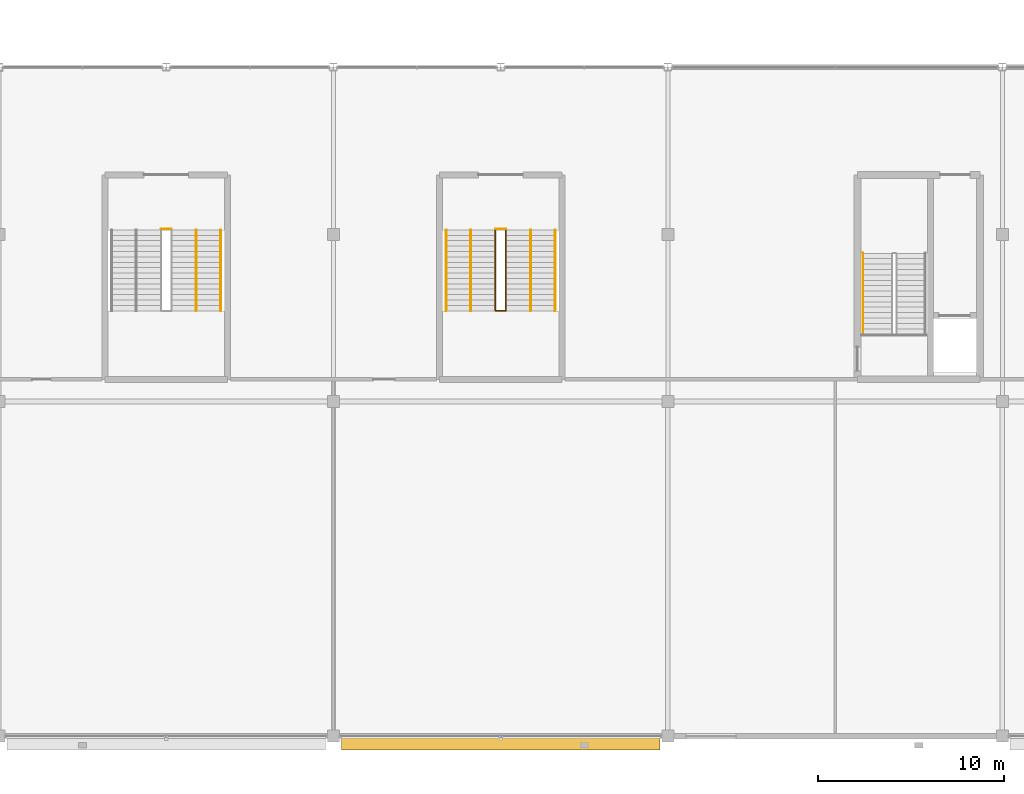
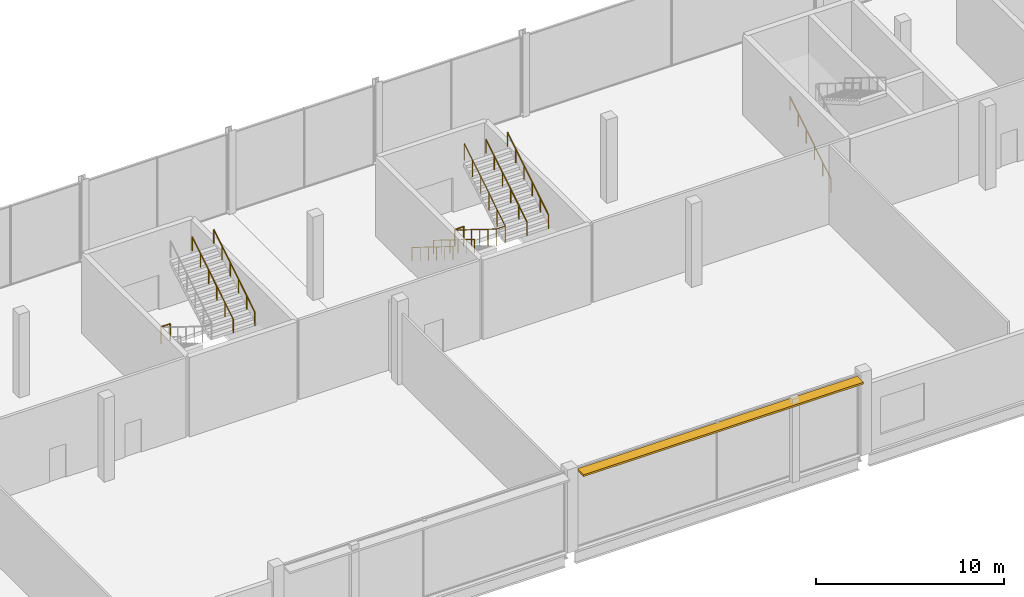
# One storey, part 100 of 111: 10 railings, 1 shading device.
"""IFC4 building model written with IfcOpenShell, lengths in metres."""

from ifc_helpers import new_model, si_unit, direction, frame, origin, origin_2d, place, context, subcontext, project, spatial, rectangle, circle, extrude, material, type_object, element, save


model = new_model("IFC4")

# Units and contexts
model_context = context("Model", 3, precision=1e-05, world=origin(), true_north=direction((0.0, 1.0)))
body_context = subcontext(model_context, "Body", "Model", "MODEL_VIEW")
ifc_project = project(units=[si_unit("LENGTHUNIT", "METRE"), si_unit("AREAUNIT", "SQUARE_METRE"), si_unit("VOLUMEUNIT", "CUBIC_METRE"), si_unit("PLANEANGLEUNIT", "RADIAN"), si_unit("MASSUNIT", "GRAM", prefix="KILO")], contexts=[model_context])

# Site, building, storey
site_placement = place(None, origin())
site = spatial("IfcSite", under=ifc_project, at=site_placement, CompositionType="ELEMENT")
building_placement = place(site_placement, origin())
building = spatial("IfcBuilding", under=site, at=building_placement, Name="Kisiwana Market Hall", CompositionType="ELEMENT")
storey_placement = place(building_placement, frame((0.0, 0.0, 11.39990234375)))
storey = spatial("IfcBuildingStorey", under=building, at=storey_placement, Name="L02", CompositionType="ELEMENT", Elevation=11.39990234375)

# Railings
ifc_material_1 = material(Name="Steel S275", Category="steel")
railing_type_1 = type_object("IfcRailingType", Name="RL-GUARD-1100", PredefinedType="GUARDRAIL", material=ifc_material_1)
railing_1_placement = place(storey_placement, frame((89.719970703125, 27.2900390625, 0.0)))
element("IfcRailing", 1, at=railing_1_placement, inside=storey, type_object=railing_type_1, Name="Stair ST-S4-L02 landing edge guardrail (RL-608)", PredefinedType="GUARDRAIL", context=body_context, shape_type="SweptSolid", body=[
    extrude(circle(Radius=0.02392578125, at=origin_2d()), frame((0.0, 0.0, 1.076171875), z_axis=(1.0, 0.0, 0.0), x_axis=(0.0, 1.0, 0.0)), (0.0, 0.0, 1.0), 0.56005859375),
    extrude(circle(Radius=0.02099609375, at=origin_2d()), origin(), (0.0, 0.0, 1.0), 1.052001953125),
    extrude(circle(Radius=0.02099609375, at=origin_2d()), frame((0.56005859375, 0.0, 0.0)), (0.0, 0.0, 1.0), 1.052001953125),
])
railing_2_placement = place(storey_placement, frame((107.719970703125, 27.239990234375, 0.0)))
element("IfcRailing", 2, at=railing_2_placement, inside=storey, type_object=railing_type_1, Name="Stair ST-S5-L02 inner-well guardrail (RL-615)", PredefinedType="GUARDRAIL", context=body_context, shape_type="SweptSolid", body=[
    extrude(circle(Radius=0.02392578125, at=origin_2d()), frame((0.0, 0.0, 1.076171875), z_axis=(0.0, -0.849628378081, 0.527381853271), x_axis=(1.0, 0.0, 0.0)), (0.0, 0.0, 1.0), 5.1201171875),
    extrude(circle(Radius=0.02392578125, at=origin_2d()), frame((0.0, -4.35009765625, 3.7763671875), z_axis=(1.0, 0.0, 0.0), x_axis=(0.0, 1.0, 0.0)), (0.0, 0.0, 1.0), 0.56005859375),
    extrude(circle(Radius=0.02392578125, at=origin_2d()), frame((0.56005859375, -4.35009765625, 3.7763671875), z_axis=(0.0, 0.849649743971, 0.527347430608), x_axis=(-1.0, 0.0, 0.0)), (0.0, 0.0, 1.0), 5.119873046875),
    extrude(circle(Radius=0.02099609375, at=origin_2d()), origin(), (0.0, 0.0, 1.0), 1.052001953125),
    extrude(circle(Radius=0.02099609375, at=origin_2d()), frame((0.0, -0.8701171875, 0.5400390625)), (0.0, 0.0, 1.0), 1.052001953125),
    extrude(circle(Radius=0.02099609375, at=origin_2d()), frame((0.0, -1.739990234375, 1.080078125)), (0.0, 0.0, 1.0), 1.052001953125),
    extrude(circle(Radius=0.02099609375, at=origin_2d()), frame((0.0, -2.610107421875, 1.6201171875)), (0.0, 0.0, 1.0), 1.052001953125),
    extrude(circle(Radius=0.02099609375, at=origin_2d()), frame((0.0, -3.47998046875, 2.16015625)), (0.0, 0.0, 1.0), 1.052001953125),
    extrude(circle(Radius=0.02099609375, at=origin_2d()), frame((0.0, -4.35009765625, 2.7001953125)), (0.0, 0.0, 1.0), 1.052001953125),
    extrude(circle(Radius=0.02099609375, at=origin_2d()), frame((0.56005859375, -4.35009765625, 2.7001953125)), (0.0, 0.0, 1.0), 1.052001953125),
    extrude(circle(Radius=0.02099609375, at=origin_2d()), frame((0.56005859375, -3.47998046875, 3.240234375)), (0.0, 0.0, 1.0), 1.052001953125),
    extrude(circle(Radius=0.02099609375, at=origin_2d()), frame((0.56005859375, -2.610107421875, 3.7802734375)), (0.0, 0.0, 1.0), 1.052001953125),
    extrude(circle(Radius=0.02099609375, at=origin_2d()), frame((0.56005859375, -1.739990234375, 4.320068359375)), (0.0, 0.0, 1.0), 1.052001953125),
    extrude(circle(Radius=0.02099609375, at=origin_2d()), frame((0.56005859375, -0.8701171875, 4.860107421875)), (0.0, 0.0, 1.0), 1.052001953125),
    extrude(circle(Radius=0.02099609375, at=origin_2d()), frame((0.56005859375, 0.0, 5.400146484375)), (0.0, 0.0, 1.0), 1.052001953125),
])
railing_3_placement = place(storey_placement, frame((107.719970703125, 27.2900390625, 0.0)))
element("IfcRailing", 3, at=railing_3_placement, inside=storey, type_object=railing_type_1, Name="Stair ST-S5-L02 landing edge guardrail (RL-620)", PredefinedType="GUARDRAIL", context=body_context, shape_type="SweptSolid", body=[
    extrude(circle(Radius=0.02392578125, at=origin_2d()), frame((0.0, 0.0, 1.076171875), z_axis=(1.0, 0.0, 0.0), x_axis=(0.0, 1.0, 0.0)), (0.0, 0.0, 1.0), 0.56005859375),
    extrude(circle(Radius=0.02099609375, at=origin_2d()), origin(), (0.0, 0.0, 1.0), 1.052001953125),
    extrude(circle(Radius=0.02099609375, at=origin_2d()), frame((0.56005859375, 0.0, 0.0)), (0.0, 0.0, 1.0), 1.052001953125),
])
ifc_material_2 = material(Name="Steel S275", Category="steel")
railing_type_2 = type_object("IfcRailingType", Name="RL-HAND-900", PredefinedType="HANDRAIL", material=ifc_material_2)
railing_4_placement = place(storey_placement, frame((127.5, 21.62939453125, 0.0)))
element("IfcRailing", 4, at=railing_4_placement, inside=storey, type_object=railing_type_2, Name="Stair ST-S2-L02 flight 1 handrail (RL-496)", PredefinedType="HANDRAIL", context=body_context, shape_type="SweptSolid", body=[
    extrude(circle(Radius=0.02392578125, at=origin_2d()), frame((0.0, 0.0, 0.8759765625), z_axis=(0.0, 0.849628378081, 0.527381853271), x_axis=(-1.0, 0.0, 0.0)), (0.0, 0.0, 1.0), 5.1201171875),
    extrude(circle(Radius=0.02099609375, at=origin_2d()), origin(), (0.0, 0.0, 1.0), 0.851806640625),
    extrude(circle(Radius=0.02099609375, at=origin_2d()), frame((0.0, 0.8701171875, 0.5400390625)), (0.0, 0.0, 1.0), 0.851806640625),
    extrude(circle(Radius=0.02099609375, at=origin_2d()), frame((0.0, 1.739990234375, 1.080078125)), (0.0, 0.0, 1.0), 0.851806640625),
    extrude(circle(Radius=0.02099609375, at=origin_2d()), frame((0.0, 2.610107421875, 1.6201171875)), (0.0, 0.0, 1.0), 0.851806640625),
    extrude(circle(Radius=0.02099609375, at=origin_2d()), frame((0.0, 3.47998046875, 2.16015625)), (0.0, 0.0, 1.0), 0.851806640625),
    extrude(circle(Radius=0.02099609375, at=origin_2d()), frame((0.0, 4.35009765625, 2.7001953125)), (0.0, 0.0, 1.0), 0.851806640625),
])
for number, where, name in (
    (5, (92.929931640625, 22.889892578125, 2.7001953125), "Stair ST-S4-L02 flight 2 handrail (RL-605)"),
    (6, (91.610107421875, 22.889892578125, 2.7001953125), "Stair ST-S4-L02 flight 2 intermediate handrail (RL-607)"),
):
    element("IfcRailing", number, at=place(storey_placement, frame(where)), inside=storey, type_object=railing_type_2, Name=name, PredefinedType="HANDRAIL", context=body_context, shape_type="SweptSolid", body=[
        extrude(circle(Radius=0.02392578125, at=origin_2d()), frame((0.0, 0.0, 0.8759765625), z_axis=(0.0, 0.849649743971, 0.527347430608), x_axis=(-1.0, 0.0, 0.0)), (0.0, 0.0, 1.0), 5.119873046875),
        extrude(circle(Radius=0.02099609375, at=origin_2d()), origin(), (0.0, 0.0, 1.0), 0.851806640625),
        extrude(circle(Radius=0.02099609375, at=origin_2d()), frame((0.0, 0.8701171875, 0.5400390625)), (0.0, 0.0, 1.0), 0.851806640625),
        extrude(circle(Radius=0.02099609375, at=origin_2d()), frame((0.0, 1.739990234375, 1.080078125)), (0.0, 0.0, 1.0), 0.851806640625),
        extrude(circle(Radius=0.02099609375, at=origin_2d()), frame((0.0, 2.610107421875, 1.619873046875)), (0.0, 0.0, 1.0), 0.851806640625),
        extrude(circle(Radius=0.02099609375, at=origin_2d()), frame((0.0, 3.47998046875, 2.159912109375)), (0.0, 0.0, 1.0), 0.851806640625),
        extrude(circle(Radius=0.02099609375, at=origin_2d()), frame((0.0, 4.35009765625, 2.699951171875)), (0.0, 0.0, 1.0), 0.851806640625),
    ])
railing_5_placement = place(storey_placement, frame((105.070068359375, 27.239990234375, 0.0)))
element("IfcRailing", 7, at=railing_5_placement, inside=storey, type_object=railing_type_2, Name="Stair ST-S5-L02 flight 1 handrail (RL-616)", PredefinedType="HANDRAIL", context=body_context, shape_type="SweptSolid", body=[
    extrude(circle(Radius=0.02392578125, at=origin_2d()), frame((0.0, 0.0, 0.8759765625), z_axis=(0.0, -0.849628378081, 0.527381853271), x_axis=(1.0, 0.0, 0.0)), (0.0, 0.0, 1.0), 5.1201171875),
    extrude(circle(Radius=0.02099609375, at=origin_2d()), origin(), (0.0, 0.0, 1.0), 0.851806640625),
    extrude(circle(Radius=0.02099609375, at=origin_2d()), frame((0.0, -0.8701171875, 0.5400390625)), (0.0, 0.0, 1.0), 0.851806640625),
    extrude(circle(Radius=0.02099609375, at=origin_2d()), frame((0.0, -1.739990234375, 1.080078125)), (0.0, 0.0, 1.0), 0.851806640625),
    extrude(circle(Radius=0.02099609375, at=origin_2d()), frame((0.0, -2.610107421875, 1.6201171875)), (0.0, 0.0, 1.0), 0.851806640625),
    extrude(circle(Radius=0.02099609375, at=origin_2d()), frame((0.0, -3.47998046875, 2.16015625)), (0.0, 0.0, 1.0), 0.851806640625),
    extrude(circle(Radius=0.02099609375, at=origin_2d()), frame((0.0, -4.35009765625, 2.7001953125)), (0.0, 0.0, 1.0), 0.851806640625),
])
railing_6_placement = place(storey_placement, frame((110.929931640625, 22.889892578125, 2.7001953125)))
element("IfcRailing", 8, at=railing_6_placement, inside=storey, type_object=railing_type_2, Name="Stair ST-S5-L02 flight 2 handrail (RL-617)", PredefinedType="HANDRAIL", context=body_context, shape_type="SweptSolid", body=[
    extrude(circle(Radius=0.02392578125, at=origin_2d()), frame((0.0, 0.0, 0.8759765625), z_axis=(0.0, 0.849649743971, 0.527347430608), x_axis=(-1.0, 0.0, 0.0)), (0.0, 0.0, 1.0), 5.119873046875),
    extrude(circle(Radius=0.02099609375, at=origin_2d()), origin(), (0.0, 0.0, 1.0), 0.851806640625),
    extrude(circle(Radius=0.02099609375, at=origin_2d()), frame((0.0, 0.8701171875, 0.5400390625)), (0.0, 0.0, 1.0), 0.851806640625),
    extrude(circle(Radius=0.02099609375, at=origin_2d()), frame((0.0, 1.739990234375, 1.080078125)), (0.0, 0.0, 1.0), 0.851806640625),
    extrude(circle(Radius=0.02099609375, at=origin_2d()), frame((0.0, 2.610107421875, 1.619873046875)), (0.0, 0.0, 1.0), 0.851806640625),
    extrude(circle(Radius=0.02099609375, at=origin_2d()), frame((0.0, 3.47998046875, 2.159912109375)), (0.0, 0.0, 1.0), 0.851806640625),
    extrude(circle(Radius=0.02099609375, at=origin_2d()), frame((0.0, 4.35009765625, 2.699951171875)), (0.0, 0.0, 1.0), 0.851806640625),
])
railing_7_placement = place(storey_placement, frame((106.389892578125, 27.239990234375, 0.0)))
element("IfcRailing", 9, at=railing_7_placement, inside=storey, type_object=railing_type_2, Name="Stair ST-S5-L02 flight 1 intermediate handrail (RL-618)", PredefinedType="HANDRAIL", context=body_context, shape_type="SweptSolid", body=[
    extrude(circle(Radius=0.02392578125, at=origin_2d()), frame((0.0, 0.0, 0.8759765625), z_axis=(0.0, -0.849628378081, 0.527381853271), x_axis=(1.0, 0.0, 0.0)), (0.0, 0.0, 1.0), 5.1201171875),
    extrude(circle(Radius=0.02099609375, at=origin_2d()), origin(), (0.0, 0.0, 1.0), 0.851806640625),
    extrude(circle(Radius=0.02099609375, at=origin_2d()), frame((0.0, -0.8701171875, 0.5400390625)), (0.0, 0.0, 1.0), 0.851806640625),
    extrude(circle(Radius=0.02099609375, at=origin_2d()), frame((0.0, -1.739990234375, 1.080078125)), (0.0, 0.0, 1.0), 0.851806640625),
    extrude(circle(Radius=0.02099609375, at=origin_2d()), frame((0.0, -2.610107421875, 1.6201171875)), (0.0, 0.0, 1.0), 0.851806640625),
    extrude(circle(Radius=0.02099609375, at=origin_2d()), frame((0.0, -3.47998046875, 2.16015625)), (0.0, 0.0, 1.0), 0.851806640625),
    extrude(circle(Radius=0.02099609375, at=origin_2d()), frame((0.0, -4.35009765625, 2.7001953125)), (0.0, 0.0, 1.0), 0.851806640625),
])
railing_8_placement = place(storey_placement, frame((109.610107421875, 22.889892578125, 2.7001953125)))
element("IfcRailing", 10, at=railing_8_placement, inside=storey, type_object=railing_type_2, Name="Stair ST-S5-L02 flight 2 intermediate handrail (RL-619)", PredefinedType="HANDRAIL", context=body_context, shape_type="SweptSolid", body=[
    extrude(circle(Radius=0.02392578125, at=origin_2d()), frame((0.0, 0.0, 0.8759765625), z_axis=(0.0, 0.849649743971, 0.527347430608), x_axis=(-1.0, 0.0, 0.0)), (0.0, 0.0, 1.0), 5.119873046875),
    extrude(circle(Radius=0.02099609375, at=origin_2d()), origin(), (0.0, 0.0, 1.0), 0.851806640625),
    extrude(circle(Radius=0.02099609375, at=origin_2d()), frame((0.0, 0.8701171875, 0.5400390625)), (0.0, 0.0, 1.0), 0.851806640625),
    extrude(circle(Radius=0.02099609375, at=origin_2d()), frame((0.0, 1.739990234375, 1.080078125)), (0.0, 0.0, 1.0), 0.851806640625),
    extrude(circle(Radius=0.02099609375, at=origin_2d()), frame((0.0, 2.610107421875, 1.619873046875)), (0.0, 0.0, 1.0), 0.851806640625),
    extrude(circle(Radius=0.02099609375, at=origin_2d()), frame((0.0, 3.47998046875, 2.159912109375)), (0.0, 0.0, 1.0), 0.851806640625),
    extrude(circle(Radius=0.02099609375, at=origin_2d()), frame((0.0, 4.35009765625, 2.699951171875)), (0.0, 0.0, 1.0), 0.851806640625),
])

# Shading device
ifc_material_3 = material(Name="Aluminium alloy 6063-T6", Category="aluminium")
shading_device_type = type_object("IfcShadingDeviceType", Name="SHD-JALOUSIE-H", PredefinedType="JALOUSIE", material=ifc_material_3)
shading_device_placement = place(storey_placement, frame((108.0, -0.419921875, 4.969970703125), z_axis=(0.0, 0.0, 1.0), x_axis=(1.0, 0.0, 0.0)))
element("IfcShadingDevice", 11, at=shading_device_placement, inside=storey, type_object=shading_device_type, Name="Aluminium brise-soleil louvre SHD-044 SD-044", PredefinedType="JALOUSIE", context=body_context, shape_type="SweptSolid", body=[
    extrude(rectangle(XDim=17.14990234375, YDim=0.64990234375, at=origin_2d()), origin(), (0.0, 0.0, 1.0), 0.1201171875),
])

save(model, "model.ifc")
